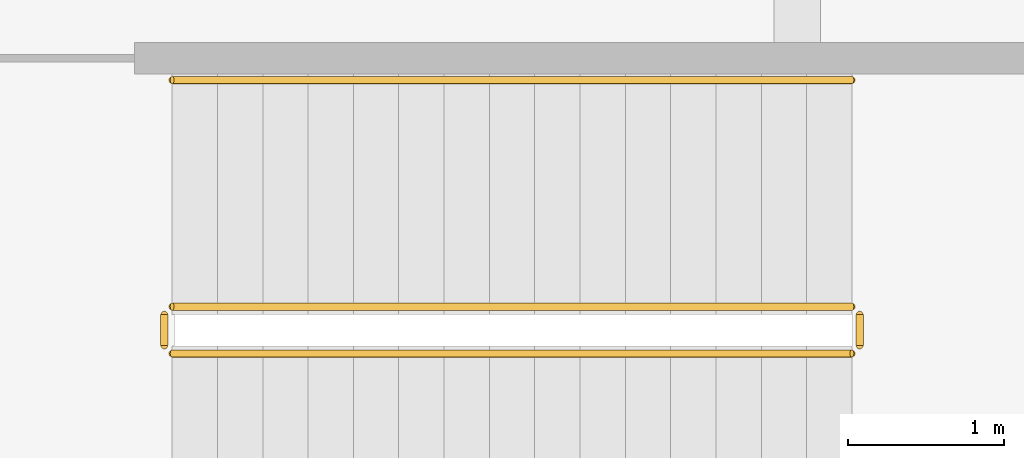
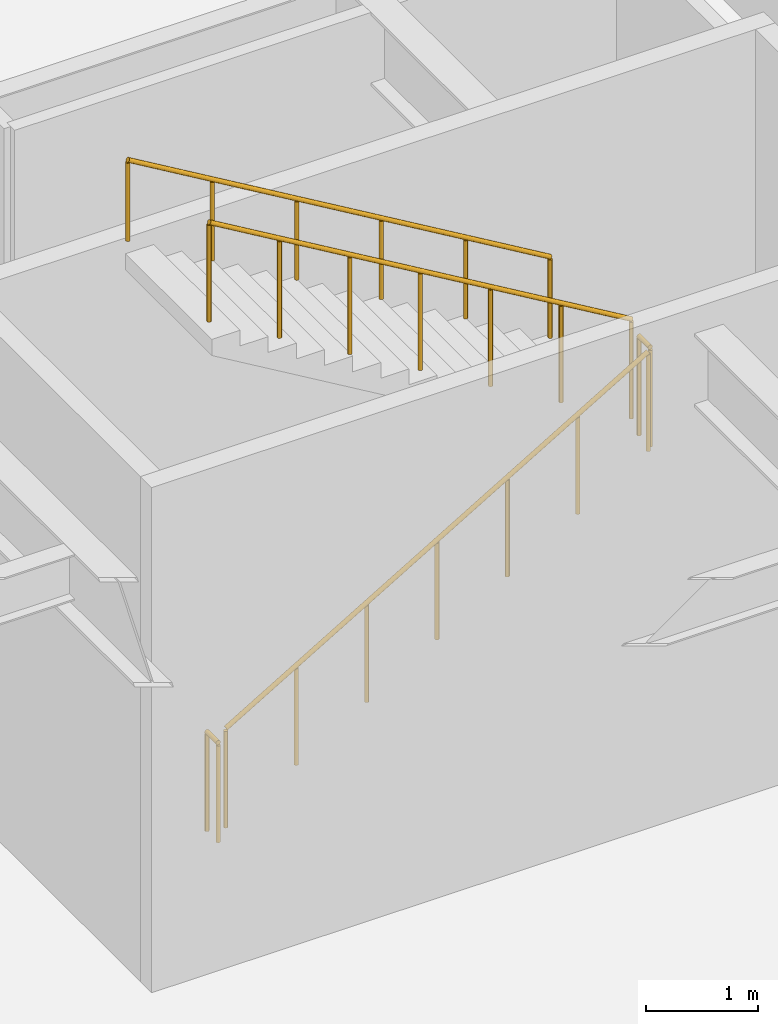
# One storey, part 18 of 18: 5 railings.
"""IFC4 building model written with IfcOpenShell, lengths in metres."""

from ifc_helpers import new_model, si_unit, direction, frame, origin, origin_2d, place, context, subcontext, project, spatial, circle, extrude, material, type_object, element, save


model = new_model("IFC4")

# Units and contexts
model_context = context("Model", 3, precision=1e-05, world=origin(), true_north=direction((0.0, 1.0)))
body_context = subcontext(model_context, "Body", "Model", "MODEL_VIEW")
ifc_project = project(units=[si_unit("LENGTHUNIT", "METRE"), si_unit("AREAUNIT", "SQUARE_METRE"), si_unit("VOLUMEUNIT", "CUBIC_METRE"), si_unit("PLANEANGLEUNIT", "RADIAN"), si_unit("MASSUNIT", "GRAM", prefix="KILO")], contexts=[model_context])

# Site, building, storey
site_placement = place(None, origin())
site = spatial("IfcSite", under=ifc_project, at=site_placement, CompositionType="ELEMENT")
building_placement = place(site_placement, origin())
building = spatial("IfcBuilding", under=site, at=building_placement, Name="Putna Gate Headquarters", CompositionType="ELEMENT")
storey_placement = place(building_placement, frame((0.0, 0.0, 11.5)))
storey = spatial("IfcBuildingStorey", under=building, at=storey_placement, Name="L02", CompositionType="ELEMENT", Elevation=11.5)

# Railings
ifc_material_1 = material(Name="Powder-coated steel stair guardrail", Category="steel")
railing_type_1 = type_object("IfcRailingType", Name="RAIL-STAIR-GUARD-1100", PredefinedType="GUARDRAIL", material=ifc_material_1)
railing_1_placement = place(storey_placement, frame((67.5, 8.300048828125, 0.171875)))
element("IfcRailing", 1, at=railing_1_placement, inside=storey, type_object=railing_type_1, Name="L02 ST3 stair guard 1", PredefinedType="GUARDRAIL", context=body_context, shape_type="SweptSolid", body=[
    extrude(circle(Radius=0.02392578125, at=origin_2d()), frame((0.0, 0.0, 1.076171875), z_axis=(0.860266436404, 0.0, 0.509844739501), x_axis=(0.0, 1.0, 0.0)), (0.0, 0.0, 1.0), 5.056640625),
    extrude(circle(Radius=0.02099609375, at=origin_2d()), origin(), (0.0, 0.0, 1.0), 1.052001953125),
    extrude(circle(Radius=0.02099609375, at=origin_2d()), frame((0.72509765625, 0.0, 0.4296875)), (0.0, 0.0, 1.0), 1.052001953125),
    extrude(circle(Radius=0.02099609375, at=origin_2d()), frame((1.449951171875, 0.0, 0.859375)), (0.0, 0.0, 1.0), 1.052001953125),
    extrude(circle(Radius=0.02099609375, at=origin_2d()), frame((2.175048828125, 0.0, 1.2890625)), (0.0, 0.0, 1.0), 1.052001953125),
    extrude(circle(Radius=0.02099609375, at=origin_2d()), frame((2.900146484375, 0.0, 1.71875)), (0.0, 0.0, 1.0), 1.052001953125),
    extrude(circle(Radius=0.02099609375, at=origin_2d()), frame((3.625, 0.0, 2.1484375)), (0.0, 0.0, 1.0), 1.052001953125),
    extrude(circle(Radius=0.02099609375, at=origin_2d()), frame((4.35009765625, 0.0, 2.578125)), (0.0, 0.0, 1.0), 1.052001953125),
])
railing_2_placement = place(storey_placement, frame((71.89990234375, 8.35009765625, 2.75)))
element("IfcRailing", 2, at=railing_2_placement, inside=storey, type_object=railing_type_1, Name="L02 ST3 stair guard 2", PredefinedType="GUARDRAIL", context=body_context, shape_type="SweptSolid", body=[
    extrude(circle(Radius=0.02392578125, at=origin_2d()), frame((0.0, 0.0, 1.076171875), z_axis=(0.0, 1.0, 0.0), x_axis=(-1.0, 0.0, 0.0)), (0.0, 0.0, 1.0), 0.199951171875),
    extrude(circle(Radius=0.02099609375, at=origin_2d()), origin(), (0.0, 0.0, 1.0), 1.052001953125),
    extrude(circle(Radius=0.02099609375, at=origin_2d()), frame((0.0, 0.199951171875, 0.0)), (0.0, 0.0, 1.0), 1.052001953125),
])
railing_3_placement = place(storey_placement, frame((71.85009765625, 8.60009765625, 2.921875)))
element("IfcRailing", 3, at=railing_3_placement, inside=storey, type_object=railing_type_1, Name="L02 ST3 stair guard 3", PredefinedType="GUARDRAIL", context=body_context, shape_type="SweptSolid", body=[
    extrude(circle(Radius=0.02392578125, at=origin_2d()), frame((0.0, 0.0, 1.076171875), z_axis=(-0.860266436404, 0.0, 0.509844739501), x_axis=(0.0, -1.0, 0.0)), (0.0, 0.0, 1.0), 5.056640625),
    extrude(circle(Radius=0.02099609375, at=origin_2d()), origin(), (0.0, 0.0, 1.0), 1.052001953125),
    extrude(circle(Radius=0.02099609375, at=origin_2d()), frame((-0.72509765625, 0.0, 0.4296875)), (0.0, 0.0, 1.0), 1.052001953125),
    extrude(circle(Radius=0.02099609375, at=origin_2d()), frame((-1.449951171875, 0.0, 0.859375)), (0.0, 0.0, 1.0), 1.052001953125),
    extrude(circle(Radius=0.02099609375, at=origin_2d()), frame((-2.175048828125, 0.0, 1.2890625)), (0.0, 0.0, 1.0), 1.052001953125),
    extrude(circle(Radius=0.02099609375, at=origin_2d()), frame((-2.900146484375, 0.0, 1.71875)), (0.0, 0.0, 1.0), 1.052001953125),
    extrude(circle(Radius=0.02099609375, at=origin_2d()), frame((-3.625, 0.0, 2.1484375)), (0.0, 0.0, 1.0), 1.052001953125),
    extrude(circle(Radius=0.02099609375, at=origin_2d()), frame((-4.35009765625, 0.0, 2.578125)), (0.0, 0.0, 1.0), 1.052001953125),
])
railing_4_placement = place(storey_placement, frame((67.449951171875, 8.35009765625, 0.0)))
element("IfcRailing", 4, at=railing_4_placement, inside=storey, type_object=railing_type_1, Name="L02 ST3 stair guard 4", PredefinedType="GUARDRAIL", context=body_context, shape_type="SweptSolid", body=[
    extrude(circle(Radius=0.02392578125, at=origin_2d()), frame((0.0, 0.0, 1.076171875), z_axis=(0.0, 1.0, 0.0), x_axis=(-1.0, 0.0, 0.0)), (0.0, 0.0, 1.0), 0.199951171875),
    extrude(circle(Radius=0.02099609375, at=origin_2d()), origin(), (0.0, 0.0, 1.0), 1.052001953125),
    extrude(circle(Radius=0.02099609375, at=origin_2d()), frame((0.0, 0.199951171875, 0.0)), (0.0, 0.0, 1.0), 1.052001953125),
])
ifc_material_2 = material(Name="Brushed stainless steel handrail", Category="steel")
railing_type_2 = type_object("IfcRailingType", Name="RAIL-STAIR-HAND-900", PredefinedType="HANDRAIL", material=ifc_material_2)
railing_5_placement = place(storey_placement, frame((71.85009765625, 10.050048828125, 2.921875)))
element("IfcRailing", 5, at=railing_5_placement, inside=storey, type_object=railing_type_2, Name="L02 ST3 stair handrail 2", PredefinedType="HANDRAIL", context=body_context, shape_type="SweptSolid", body=[
    extrude(circle(Radius=0.02392578125, at=origin_2d()), frame((0.0, 0.0, 0.8759765625), z_axis=(-0.860266436404, 0.0, 0.509844739501), x_axis=(0.0, -1.0, 0.0)), (0.0, 0.0, 1.0), 5.056640625),
    extrude(circle(Radius=0.02099609375, at=origin_2d()), origin(), (0.0, 0.0, 1.0), 0.851806640625),
    extrude(circle(Radius=0.02099609375, at=origin_2d()), frame((-0.8701171875, 0.0, 0.515625)), (0.0, 0.0, 1.0), 0.851806640625),
    extrude(circle(Radius=0.02099609375, at=origin_2d()), frame((-1.739990234375, 0.0, 1.03125)), (0.0, 0.0, 1.0), 0.851806640625),
    extrude(circle(Radius=0.02099609375, at=origin_2d()), frame((-2.610107421875, 0.0, 1.546875)), (0.0, 0.0, 1.0), 0.851806640625),
    extrude(circle(Radius=0.02099609375, at=origin_2d()), frame((-3.47998046875, 0.0, 2.0625)), (0.0, 0.0, 1.0), 0.851806640625),
    extrude(circle(Radius=0.02099609375, at=origin_2d()), frame((-4.35009765625, 0.0, 2.578125)), (0.0, 0.0, 1.0), 0.851806640625),
])

save(model, "model.ifc")
